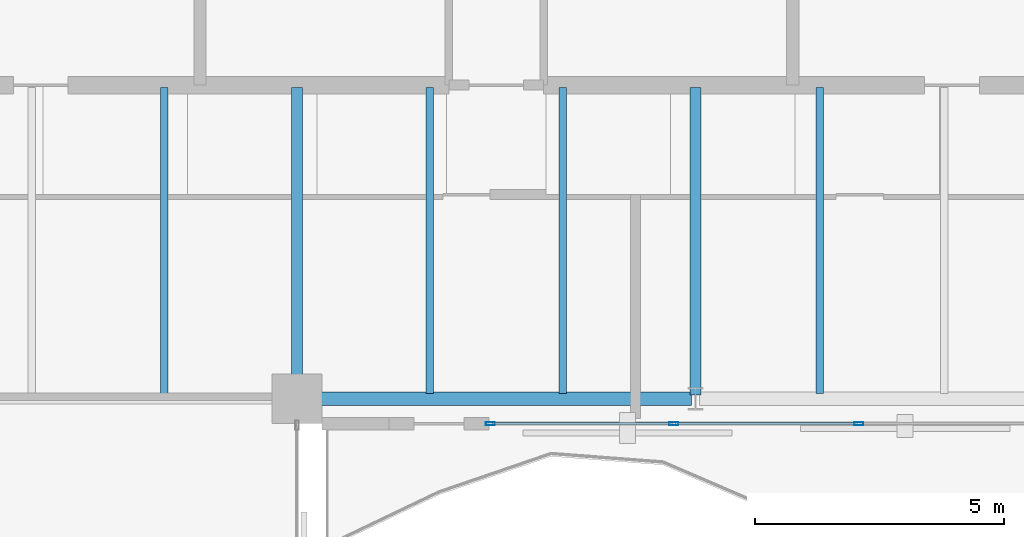
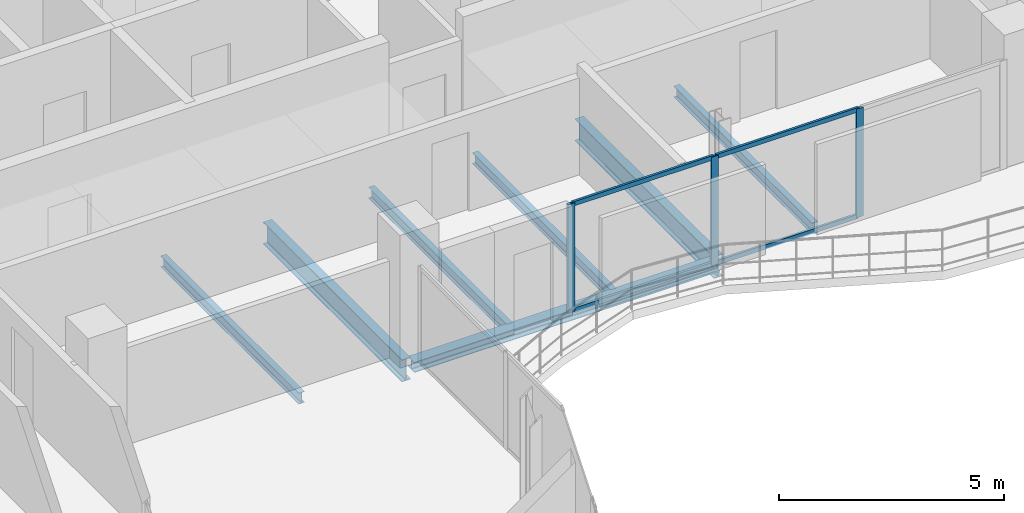
# One storey, part 11 of 23: 7 beams, 7 members, 1 element without a shape of its own.
"""IFC4 building model written with IfcOpenShell, lengths in metres."""

from ifc_helpers import new_model, si_unit, direction, frame, origin, origin_2d, place, context, subcontext, project, spatial, hollow_rectangle, i_section, extrude, material, layer, layer_set, material_profile, profile_set, type_object, element, aggregate, save


model = new_model("IFC4")

# Units and contexts
model_context = context("Model", 3, precision=1e-05, world=origin(), true_north=direction((0.0, 1.0)))
body_context = subcontext(model_context, "Body", "Model", "MODEL_VIEW")
ifc_project = project(units=[si_unit("LENGTHUNIT", "METRE"), si_unit("AREAUNIT", "SQUARE_METRE"), si_unit("VOLUMEUNIT", "CUBIC_METRE"), si_unit("PLANEANGLEUNIT", "RADIAN"), si_unit("MASSUNIT", "GRAM", prefix="KILO")], contexts=[model_context])

# Site, building, storey
site_placement = place(None, origin())
site = spatial("IfcSite", under=ifc_project, at=site_placement, CompositionType="ELEMENT")
building_placement = place(site_placement, origin())
building = spatial("IfcBuilding", under=site, at=building_placement, Name="Catumbela Crestline Tower", CompositionType="ELEMENT")
storey_placement = place(building_placement, frame((0.0, 0.0, 204.6)))
storey = spatial("IfcBuildingStorey", under=building, at=storey_placement, Name="L53", CompositionType="ELEMENT", Elevation=204.6)

# Beams
ifc_material_1 = material(Name="Structural steel S355J2", Category="steel")
ifc_material_profile_1 = material_profile(ifc_material_1, i_section(OverallWidth=0.22, OverallDepth=0.6, WebThickness=0.012, FlangeThickness=0.019, FilletRadius=0.024, at=origin_2d()), Name="IPE 600")
ifc_profile_set_1 = profile_set([ifc_material_profile_1], Name="Structural steel S355J2")
beam_type_1 = type_object("IfcBeamType", Name="BG-IPE600", PredefinedType="BEAM", material=ifc_profile_set_1)
for number, where, z_axis, x_axis, name in (
    (1, (24.0, 24.58, -0.56), (0.0, 1.0, 0.0), (-1.0, 0.0, 0.0), "L53 Beam BM-L53-SNS18"),
    (2, (32.0, 24.58, -0.56), (0.0, 1.0, 0.0), (-1.0, 0.0, 0.0), "L53 Beam BM-L53-SNS19"),
):
    element("IfcBeam", number, at=place(storey_placement, frame(where, z_axis=z_axis, x_axis=x_axis)), inside=storey, type_object=beam_type_1, Name=name, PredefinedType="BEAM", context=body_context, shape_type="SweptSolid", body=[
        extrude(i_section(OverallWidth=0.22, OverallDepth=0.6, WebThickness=0.012, FlangeThickness=0.019, FilletRadius=0.024, at=origin_2d()), origin(), (0.0, 0.0, 1.0), 6.17),
    ])
ifc_material_profile_2 = material_profile(ifc_material_1, i_section(OverallWidth=0.15, OverallDepth=0.3, WebThickness=0.0071, FlangeThickness=0.0107, FilletRadius=0.015, at=origin_2d()), Name="IPE 300")
ifc_profile_set_2 = profile_set([ifc_material_profile_2], Name="Structural steel S355J2")
beam_type_2 = type_object("IfcBeamType", Name="BJ-IPE300", PredefinedType="JOIST", material=ifc_profile_set_2)
for number, where, z_axis, x_axis, name in (
    (3, (21.333, 24.61, -0.41), (0.0, 1.0, 0.0), (-1.0, 0.0, 0.0), "L53 Joist JS-L53-SP27"),
    (4, (26.667, 24.61, -0.41), (0.0, 1.0, 0.0), (-1.0, 0.0, 0.0), "L53 Joist JS-L53-SP28"),
    (5, (29.333, 24.61, -0.41), (0.0, 1.0, 0.0), (-1.0, 0.0, 0.0), "L53 Joist JS-L53-SP29"),
    (6, (34.5, 24.61, -0.41), (0.0, 1.0, 0.0), (-1.0, 0.0, 0.0), "L53 Joist JS-L53-SP30"),
):
    element("IfcBeam", number, at=place(storey_placement, frame(where, z_axis=z_axis, x_axis=x_axis)), inside=storey, type_object=beam_type_2, Name=name, PredefinedType="JOIST", context=body_context, shape_type="SweptSolid", body=[
        extrude(i_section(OverallWidth=0.15, OverallDepth=0.3, WebThickness=0.0071, FlangeThickness=0.0107, FilletRadius=0.015, at=origin_2d()), origin(), (0.0, 0.0, 1.0), 6.14),
    ])

# Curtain wall, members
ifc_material_2 = material(Name="Aluminium alloy AW-6060-T66", Category="aluminium")
ifc_layer = layer(ifc_material_2, 0.18, Name="Aluminium alloy AW-6060-T66")
ifc_layer_set = layer_set([ifc_layer], Name="Aluminium alloy AW-6060-T66")
curtain_wall_type = type_object("IfcCurtainWallType", Name="CWU-Z3", PredefinedType="USERDEFINED", material=ifc_layer_set)
curtain_wall_placement = place(storey_placement, origin())
curtain_wall = element("IfcCurtainWall", 7, at=curtain_wall_placement, inside=storey, type_object=curtain_wall_type, Name="L53 Unitised Curtain Wall CW-L53-E3S2", ObjectType="UNITISED", PredefinedType="USERDEFINED")
ifc_material_profile_3 = material_profile(ifc_material_2, hollow_rectangle(XDim=0.065, YDim=0.18, WallThickness=0.004, at=origin_2d()), Name="ALU 180x65x4")
ifc_profile_set_3 = profile_set([ifc_material_profile_3], Name="Aluminium alloy AW-6060-T66")
member_type_1 = type_object("IfcMemberType", Name="MUL-180X65", PredefinedType="MULLION", material=ifc_profile_set_3)
member_1_placement = place(storey_placement, frame((27.8825, 24.0, 0.0), z_axis=(0.0, 0.0, 1.0), x_axis=(0.0, 1.0, 0.0)))
member_1 = element("IfcMember", 8, at=member_1_placement, type_object=member_type_1, Name="CWU-Z3 mullion 1", PredefinedType="MULLION", context=body_context, shape_type="SweptSolid", body=[
    extrude(hollow_rectangle(XDim=0.065, YDim=0.18, WallThickness=0.004, at=origin_2d()), origin(), (0.0, 0.0, 1.0), 2.95),
])
member_2_placement = place(storey_placement, frame((31.5667, 24.0, 0.0), z_axis=(0.0, 0.0, 1.0), x_axis=(0.0, 1.0, 0.0)))
member_2 = element("IfcMember", 9, at=member_2_placement, type_object=member_type_1, Name="CWU-Z3 mullion 2", PredefinedType="MULLION", context=body_context, shape_type="SweptSolid", body=[
    extrude(hollow_rectangle(XDim=0.065, YDim=0.18, WallThickness=0.004, at=origin_2d()), origin(), (0.0, 0.0, 1.0), 2.95),
])
member_3_placement = place(storey_placement, frame((35.2833, 24.0, 0.0), z_axis=(0.0, 0.0, 1.0), x_axis=(0.0, 1.0, 0.0)))
member_3 = element("IfcMember", 10, at=member_3_placement, type_object=member_type_1, Name="CWU-Z3 mullion 3", PredefinedType="MULLION", context=body_context, shape_type="SweptSolid", body=[
    extrude(hollow_rectangle(XDim=0.065, YDim=0.18, WallThickness=0.004, at=origin_2d()), origin(), (0.0, 0.0, 1.0), 2.95),
])

# Beam
ifc_material_profile_4 = material_profile(ifc_material_1, i_section(OverallWidth=0.28, OverallDepth=0.28, WebThickness=0.0105, FlangeThickness=0.018, FilletRadius=0.024, at=origin_2d()), Name="HEB 280")
ifc_profile_set_4 = profile_set([ifc_material_profile_4], Name="Structural steel S355J2")
beam_type_3 = type_object("IfcBeamType", Name="BS-HEB280", PredefinedType="SPANDREL", material=ifc_profile_set_4)
beam_placement = place(storey_placement, frame((24.08, 24.5, -0.4), z_axis=(1.0, 0.0, 0.0), x_axis=(0.0, 1.0, 0.0)))
element("IfcBeam", 11, at=beam_placement, inside=storey, type_object=beam_type_3, Name="L53 Spandrel SP-L53-S04", PredefinedType="SPANDREL", context=body_context, shape_type="SweptSolid", body=[
    extrude(i_section(OverallWidth=0.28, OverallDepth=0.28, WebThickness=0.0105, FlangeThickness=0.018, FilletRadius=0.024, at=origin_2d()), origin(), (0.0, 0.0, 1.0), 7.84),
])

# Member
ifc_material_profile_5 = material_profile(ifc_material_2, hollow_rectangle(XDim=0.06, YDim=0.12, WallThickness=0.0035, at=origin_2d()), Name="ALU 120x60x3.5")
ifc_profile_set_5 = profile_set([ifc_material_profile_5], Name="Aluminium alloy AW-6060-T66")
member_type_2 = type_object("IfcMemberType", Name="TRN-120X60", PredefinedType="USERDEFINED", material=ifc_profile_set_5)
member_4_placement = place(storey_placement, frame((27.915, 24.0, 0.03), z_axis=(1.0, 0.0, 0.0), x_axis=(0.0, 1.0, 0.0)))
member_4 = element("IfcMember", 12, at=member_4_placement, type_object=member_type_2, Name="CWU-Z3 transom 1.1", ObjectType="TRANSOM", PredefinedType="USERDEFINED", context=body_context, shape_type="SweptSolid", body=[
    extrude(hollow_rectangle(XDim=0.06, YDim=0.12, WallThickness=0.0035, at=origin_2d()), origin(), (0.0, 0.0, 1.0), 3.6192),
])

member_5_placement = place(storey_placement, frame((27.915, 24.0, 2.92), z_axis=(1.0, 0.0, 0.0), x_axis=(0.0, 1.0, 0.0)))
member_5 = element("IfcMember", 13, at=member_5_placement, type_object=member_type_2, Name="CWU-Z3 transom 1.2", ObjectType="TRANSOM", PredefinedType="USERDEFINED", context=body_context, shape_type="SweptSolid", body=[
    extrude(hollow_rectangle(XDim=0.06, YDim=0.12, WallThickness=0.0035, at=origin_2d()), origin(), (0.0, 0.0, 1.0), 3.6192),
])

member_6_placement = place(storey_placement, frame((31.5992, 24.0, 0.03), z_axis=(1.0, 0.0, 0.0), x_axis=(0.0, 1.0, 0.0)))
member_6 = element("IfcMember", 14, at=member_6_placement, type_object=member_type_2, Name="CWU-Z3 transom 2.1", ObjectType="TRANSOM", PredefinedType="USERDEFINED", context=body_context, shape_type="SweptSolid", body=[
    extrude(hollow_rectangle(XDim=0.06, YDim=0.12, WallThickness=0.0035, at=origin_2d()), origin(), (0.0, 0.0, 1.0), 3.6516),
])

member_7_placement = place(storey_placement, frame((31.5992, 24.0, 2.92), z_axis=(1.0, 0.0, 0.0), x_axis=(0.0, 1.0, 0.0)))
member_7 = element("IfcMember", 15, at=member_7_placement, type_object=member_type_2, Name="CWU-Z3 transom 2.2", ObjectType="TRANSOM", PredefinedType="USERDEFINED", context=body_context, shape_type="SweptSolid", body=[
    extrude(hollow_rectangle(XDim=0.06, YDim=0.12, WallThickness=0.0035, at=origin_2d()), origin(), (0.0, 0.0, 1.0), 3.6516),
])

aggregate(curtain_wall, [member_1, member_2, member_3, member_4, member_5, member_6, member_7])

save(model, "model.ifc")
